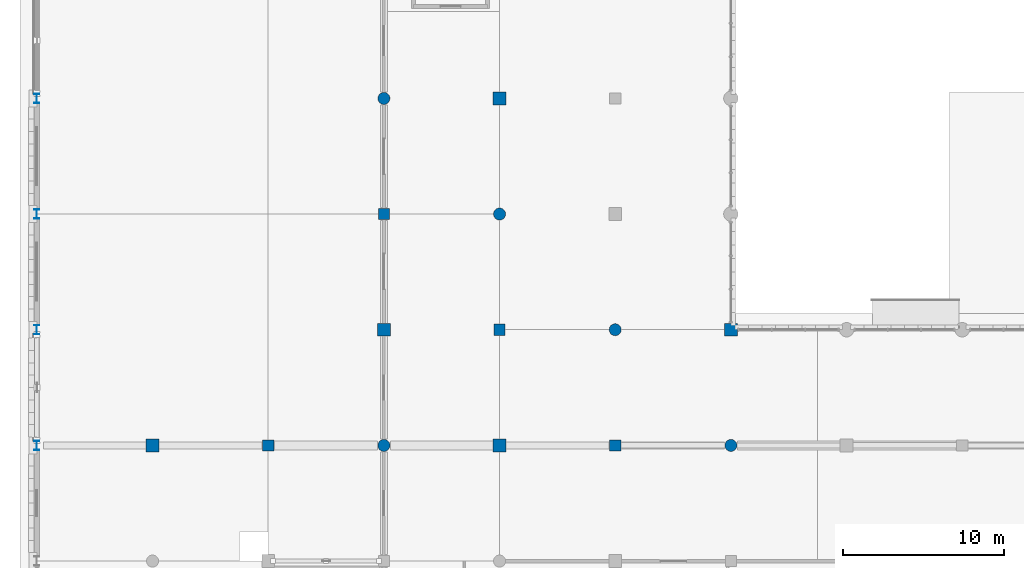
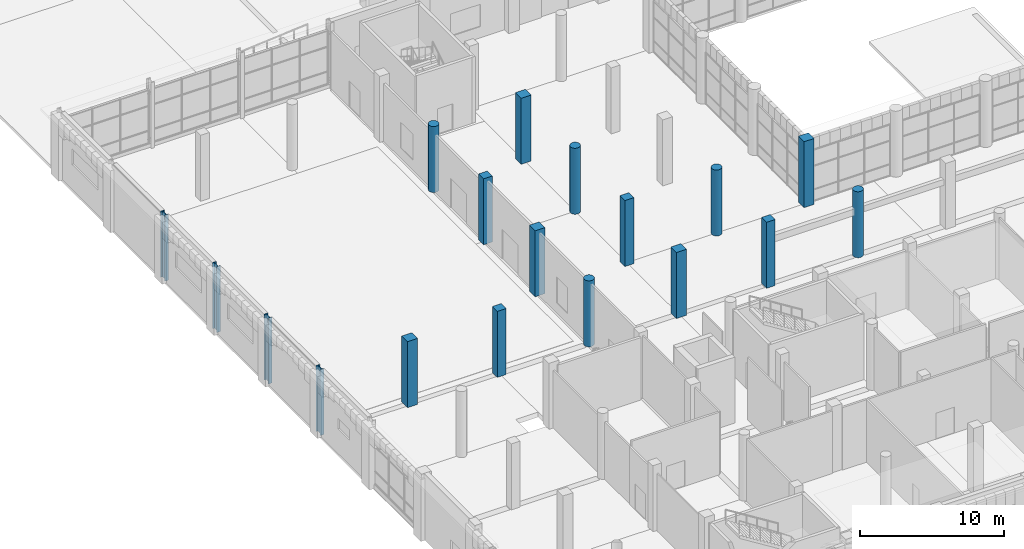
# One storey, part 3 of 85: 18 columns.
"""IFC4 building model written with IfcOpenShell, lengths in metres."""

from ifc_helpers import new_model, si_unit, direction, frame, origin, origin_2d, place, context, subcontext, project, spatial, rectangle, circle, i_section, extrude, material, material_profile, profile_set, type_object, element, save


model = new_model("IFC4")

# Units and contexts
model_context = context("Model", 3, precision=1e-05, world=origin(), true_north=direction((0.0, 1.0)))
body_context = subcontext(model_context, "Body", "Model", "MODEL_VIEW")
ifc_project = project(units=[si_unit("LENGTHUNIT", "METRE"), si_unit("AREAUNIT", "SQUARE_METRE"), si_unit("VOLUMEUNIT", "CUBIC_METRE"), si_unit("PLANEANGLEUNIT", "RADIAN"), si_unit("MASSUNIT", "GRAM", prefix="KILO")], contexts=[model_context])

# Site, building, storey
site_placement = place(None, origin())
site = spatial("IfcSite", under=ifc_project, at=site_placement, CompositionType="ELEMENT")
building_placement = place(site_placement, origin())
building = spatial("IfcBuilding", under=site, at=building_placement, Name="Sardonyx Promenade Sports Hall", CompositionType="ELEMENT")
storey_placement = place(building_placement, origin())
storey = spatial("IfcBuildingStorey", under=building, at=storey_placement, Name="L00", CompositionType="ELEMENT", Elevation=0.0)

# Columns
ifc_material_1 = material(Name="Steel S355JR", Category="steel")
ifc_material_profile_1 = material_profile(ifc_material_1, i_section(OverallWidth=0.300048828125, OverallDepth=0.590087890625, WebThickness=0.012939453125, FlangeThickness=0.02490234375, at=origin_2d()))
ifc_profile_set_1 = profile_set([ifc_material_profile_1], Name="Steel S355JR")
column_type_1 = type_object("IfcColumnType", Name="Col_Ext_HEA600", PredefinedType="COLUMN", material=ifc_profile_set_1)
for number, where, z_axis, x_axis, name in (
    (1, (0.0, 36.0, 0.0), (0.0, 0.0, 1.0), (1.0, 0.0, 0.0), "Column CE01 L00 (0.0,36.0)"),
    (2, (0.0, 43.199951171875, 0.0), (0.0, 0.0, 1.0), (1.0, 0.0, 0.0), "Column CE01 L00 (0.0,43.2)"),
    (3, (0.0, 50.39990234375, 0.0), (0.0, 0.0, 1.0), (1.0, 0.0, 0.0), "Column CE01 L00 (0.0,50.4)"),
    (4, (0.0, 57.60009765625, 0.0), (0.0, 0.0, 1.0), (1.0, 0.0, 0.0), "Column CE01 L00 (0.0,57.6)"),
):
    element("IfcColumn", number, at=place(storey_placement, frame(where, z_axis=z_axis, x_axis=x_axis)), inside=storey, type_object=column_type_1, Name=name, PredefinedType="COLUMN", context=body_context, shape_type="SweptSolid", body=[
        extrude(i_section(OverallWidth=0.300048828125, OverallDepth=0.590087890625, WebThickness=0.012939453125, FlangeThickness=0.02490234375, at=origin_2d()), origin(), (0.0, 0.0, 1.0), 5.60009765625),
    ])
ifc_material_2 = material(Name="Concrete C50/60", Category="concrete")
ifc_material_profile_2 = material_profile(ifc_material_2, rectangle(XDim=0.699951171875, YDim=0.699951171875, at=origin_2d()))
ifc_profile_set_2 = profile_set([ifc_material_profile_2], Name="Concrete C50/60")
column_type_2 = type_object("IfcColumnType", Name="Col_Int_RC700", PredefinedType="COLUMN", material=ifc_profile_set_2)
for number, where, z_axis, x_axis, name in (
    (5, (14.39990234375, 36.0, 0.0), (0.0, 0.0, 1.0), (1.0, 0.0, 0.0), "Column CI03 L00 (14.4,36.0)"),
    (6, (21.60009765625, 50.39990234375, 0.0), (0.0, 0.0, 1.0), (1.0, 0.0, 0.0), "Column CI03 L00 (21.6,50.4)"),
    (7, (28.800048828125, 43.199951171875, 0.0), (0.0, 0.0, 1.0), (1.0, 0.0, 0.0), "Column CI03 L00 (28.8,43.2)"),
    (8, (36.0, 36.0, 0.0), (0.0, 0.0, 1.0), (1.0, 0.0, 0.0), "Column CI03 L00 (36.0,36.0)"),
):
    element("IfcColumn", number, at=place(storey_placement, frame(where, z_axis=z_axis, x_axis=x_axis)), inside=storey, type_object=column_type_2, Name=name, PredefinedType="COLUMN", context=body_context, shape_type="SweptSolid", body=[
        extrude(rectangle(XDim=0.699951171875, YDim=0.699951171875, at=origin_2d()), origin(), (0.0, 0.0, 1.0), 5.60009765625),
    ])
ifc_material_3 = material(Name="Concrete C50/60", Category="concrete")
ifc_material_profile_3 = material_profile(ifc_material_3, rectangle(XDim=0.800048828125, YDim=0.800048828125, at=origin_2d()))
ifc_profile_set_3 = profile_set([ifc_material_profile_3], Name="Concrete C50/60")
column_type_3 = type_object("IfcColumnType", Name="Col_Int_RC800", PredefinedType="COLUMN", material=ifc_profile_set_3)
for number, where, z_axis, x_axis, name in (
    (9, (7.199951171875, 36.0, 0.0), (0.0, 0.0, 1.0), (1.0, 0.0, 0.0), "Column CI01 L00 (7.2,36.0)"),
    (10, (21.60009765625, 43.199951171875, 0.0), (0.0, 0.0, 1.0), (1.0, 0.0, 0.0), "Column CI01 L00 (21.6,43.2)"),
    (11, (28.800048828125, 36.0, 0.0), (0.0, 0.0, 1.0), (1.0, 0.0, 0.0), "Column CI01 L00 (28.8,36.0)"),
    (12, (28.800048828125, 57.60009765625, 0.0), (0.0, 0.0, 1.0), (1.0, 0.0, 0.0), "Column CI01 L00 (28.8,57.6)"),
    (13, (43.199951171875, 43.199951171875, 0.0), (0.0, 0.0, 1.0), (1.0, 0.0, 0.0), "Column CI01 L00 (43.2,43.2)"),
):
    element("IfcColumn", number, at=place(storey_placement, frame(where, z_axis=z_axis, x_axis=x_axis)), inside=storey, type_object=column_type_3, Name=name, PredefinedType="COLUMN", context=body_context, shape_type="SweptSolid", body=[
        extrude(rectangle(XDim=0.800048828125, YDim=0.800048828125, at=origin_2d()), origin(), (0.0, 0.0, 1.0), 5.60009765625),
    ])
ifc_material_4 = material(Name="Concrete C50/60", Category="concrete")
ifc_material_profile_4 = material_profile(ifc_material_4, circle(Radius=0.375, at=origin_2d()))
ifc_profile_set_4 = profile_set([ifc_material_profile_4], Name="Concrete C50/60")
column_type_4 = type_object("IfcColumnType", Name="Col_Int_RCD750", PredefinedType="COLUMN", material=ifc_profile_set_4)
for number, where, z_axis, x_axis, name in (
    (14, (21.60009765625, 36.0, 0.0), (0.0, 0.0, 1.0), (1.0, 0.0, 0.0), "Column CI07 L00 (21.6,36.0)"),
    (15, (21.60009765625, 57.60009765625, 0.0), (0.0, 0.0, 1.0), (1.0, 0.0, 0.0), "Column CI07 L00 (21.6,57.6)"),
    (16, (28.800048828125, 50.39990234375, 0.0), (0.0, 0.0, 1.0), (1.0, 0.0, 0.0), "Column CI07 L00 (28.8,50.4)"),
    (17, (36.0, 43.199951171875, 0.0), (0.0, 0.0, 1.0), (1.0, 0.0, 0.0), "Column CI07 L00 (36.0,43.2)"),
    (18, (43.199951171875, 36.0, 0.0), (0.0, 0.0, 1.0), (1.0, 0.0, 0.0), "Column CI07 L00 (43.2,36.0)"),
):
    element("IfcColumn", number, at=place(storey_placement, frame(where, z_axis=z_axis, x_axis=x_axis)), inside=storey, type_object=column_type_4, Name=name, PredefinedType="COLUMN", context=body_context, shape_type="SweptSolid", body=[
        extrude(circle(Radius=0.375, at=origin_2d()), origin(), (0.0, 0.0, 1.0), 5.60009765625),
    ])

save(model, "model.ifc")
